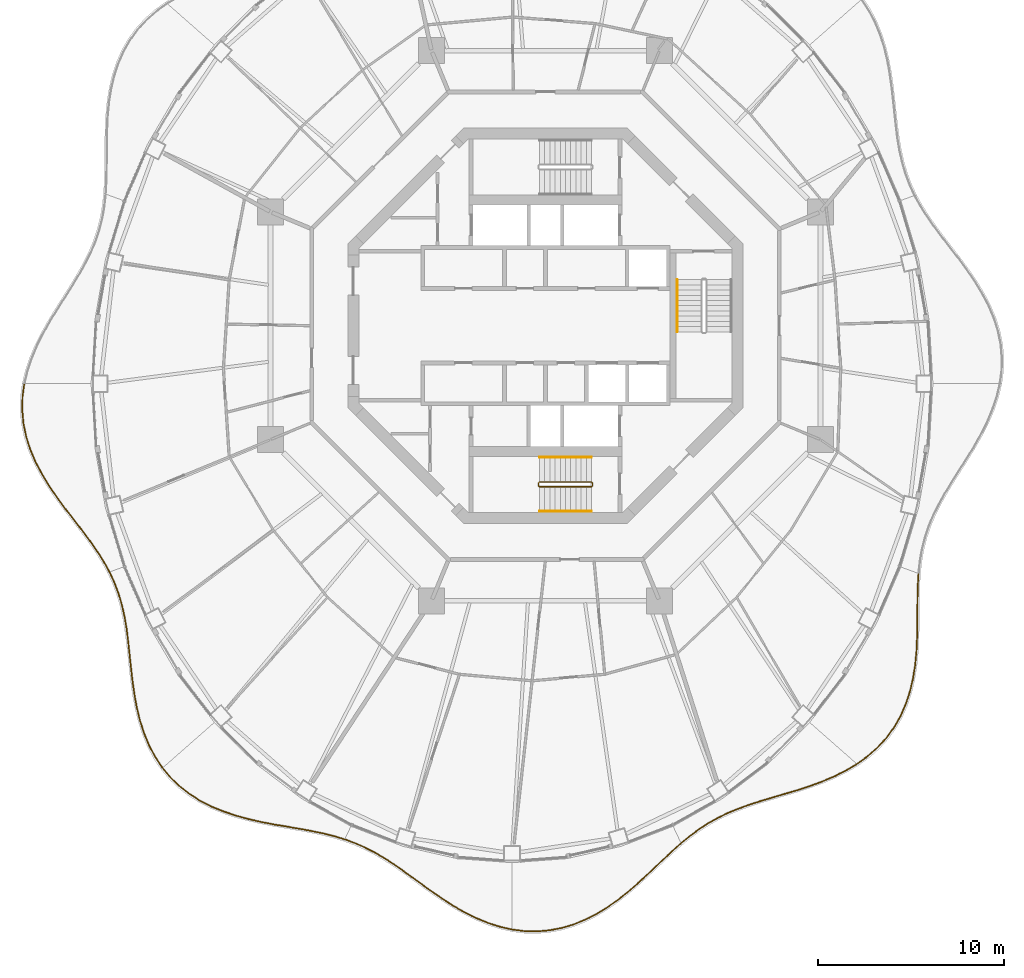
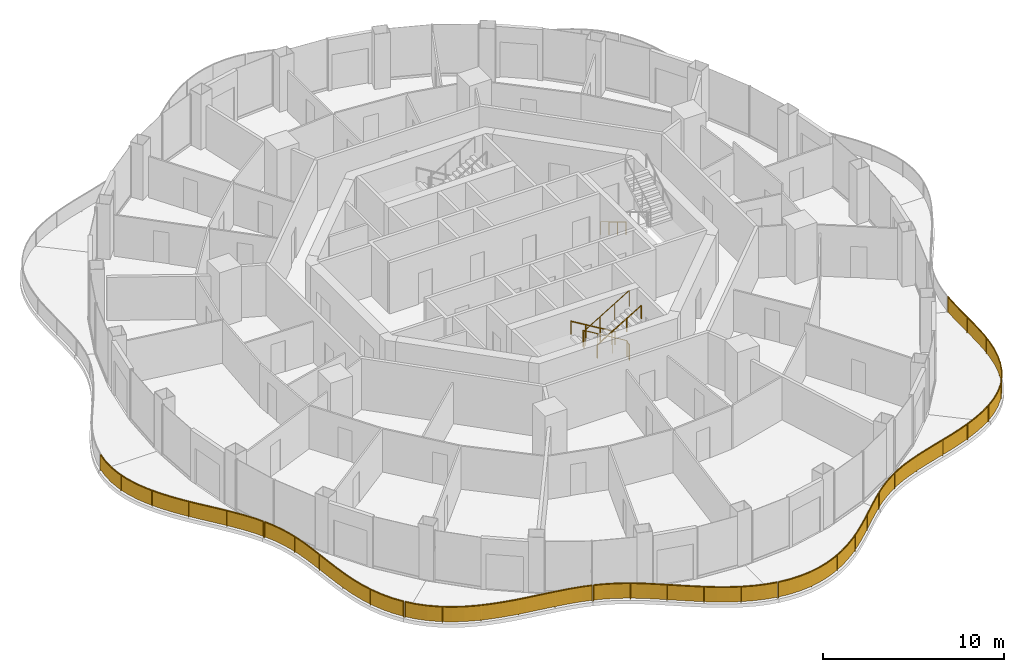
# One storey, part 15 of 17: 11 railings.
"""IFC4 building model written with IfcOpenShell, lengths in metres."""

from ifc_helpers import new_model, si_unit, direction, frame, origin, origin_2d, place, context, subcontext, project, spatial, polyline, rectangle, circle, outline, extrude, material, type_object, element, save


model = new_model("IFC4")

# Units and contexts
model_context = context("Model", 3, precision=1e-05, world=origin(), true_north=direction((0.0, 1.0)))
body_context = subcontext(model_context, "Body", "Model", "MODEL_VIEW")
ifc_project = project(units=[si_unit("LENGTHUNIT", "METRE"), si_unit("AREAUNIT", "SQUARE_METRE"), si_unit("VOLUMEUNIT", "CUBIC_METRE"), si_unit("PLANEANGLEUNIT", "RADIAN"), si_unit("MASSUNIT", "GRAM", prefix="KILO")], contexts=[model_context])

# Site, building, storey
site_placement = place(None, origin())
site = spatial("IfcSite", under=ifc_project, at=site_placement, CompositionType="ELEMENT")
building_placement = place(site_placement, origin())
building = spatial("IfcBuilding", under=site, at=building_placement, Name="Nagisa Residences", CompositionType="ELEMENT")
storey_placement = place(building_placement, frame((0.0, 0.0, 277.0)))
storey = spatial("IfcBuildingStorey", under=building, at=storey_placement, Name="L70", CompositionType="ELEMENT", Elevation=277.0)

# Railings
ifc_material_1 = material(Name="Stainless steel 316", Category="steel")
railing_type_1 = type_object("IfcRailingType", Name="BALCONY GUARD 1100", PredefinedType="BALUSTRADE", material=ifc_material_1)
railing_1_placement = place(storey_placement, frame((-28.0146484375, -3.156005859375, 0.0)))
element("IfcRailing", 1, at=railing_1_placement, inside=storey, type_object=railing_type_1, Name="guard:L70:bal08-0", PredefinedType="BALUSTRADE", context=body_context, shape_type="SweptSolid", body=[
    extrude(outline(polyline([(-0.06396484375, -0.66650390625), (0.02490234375, -0.00341796875), (-0.02490234375, 0.00341796875), (-0.11376953125, -0.66259765625), (-0.1298828125, -1.37646484375), (-0.06591796875, -2.087646484375), (0.076904296875, -2.791015625), (0.29345703125, -3.482666015625), (0.57568359375, -4.145751953125), (0.917724609375, -4.8046875), (1.30615234375, -5.445068359375), (1.728515625, -6.066650390625), (2.171630859375, -6.670654296875), (2.61865234375, -7.2451171875), (3.0625, -7.82080078125), (3.488525390625, -8.388916015625), (3.885986328125, -8.953857421875), (4.24658203125, -9.521240234375), (4.544921875, -10.060546875), (4.5888671875, -10.0361328125), (4.28955078125, -9.495849609375), (3.927490234375, -8.926025390625), (3.529052734375, -8.359619140625), (3.1025390625, -7.79052734375), (2.658203125, -7.21435546875), (2.211669921875, -6.640380859375), (1.76953125, -6.037841796875), (1.34814453125, -5.418212890625), (0.961181640625, -4.7802734375), (0.62109375, -4.124267578125), (0.34033203125, -3.465576171875), (0.125244140625, -2.7783203125), (-0.01611328125, -2.080322265625), (-0.07958984375, -1.375), (-0.06396484375, -0.66650390625)])), frame((0.0, 0.0, 1.050048828125)), (0.0, 0.0, 1.0), 0.050048828125),
    extrude(outline(polyline([(-0.081787109375, -0.6650390625), (0.0068359375, -0.0009765625), (-0.0068359375, 0.0009765625), (-0.095947265625, -0.6640625), (-0.11181640625, -1.3759765625), (-0.0478515625, -2.0849609375), (0.09423828125, -2.786376953125), (0.310302734375, -3.4765625), (0.592041015625, -4.137939453125), (0.933349609375, -4.7958984375), (1.3212890625, -5.435546875), (1.743408203125, -6.056396484375), (2.18603515625, -6.65966796875), (2.6328125, -7.234130859375), (3.076904296875, -7.809814453125), (3.503173828125, -8.37841796875), (3.90087890625, -8.94384765625), (4.261962890625, -9.51220703125), (4.560791015625, -10.0517578125), (4.572998046875, -10.044921875), (4.274169921875, -9.5048828125), (3.91259765625, -8.93603515625), (3.514404296875, -8.3701171875), (3.088134765625, -7.801513671875), (2.64404296875, -7.225341796875), (2.197265625, -6.6513671875), (1.754638671875, -6.048095703125), (1.3330078125, -5.427734375), (0.945556640625, -4.7890625), (0.604736328125, -4.132080078125), (0.323486328125, -3.4716796875), (0.10791015625, -2.782958984375), (-0.0341796875, -2.0830078125), (-0.09765625, -1.37548828125), (-0.081787109375, -0.6650390625)])), frame((0.0, 0.0, 0.06005859375)), (0.0, 0.0, 1.0), 0.989990234375),
    extrude(rectangle(XDim=0.0400390625, YDim=0.0400390625, at=origin_2d()), origin(), (0.0, 0.0, 1.0), 1.050048828125),
    extrude(rectangle(XDim=0.0400390625, YDim=0.0400390625, at=origin_2d()), frame((-0.00439453125, -2.26416015625, 0.0)), (0.0, 0.0, 1.0), 1.050048828125),
    extrude(rectangle(XDim=0.0400390625, YDim=0.0400390625, at=origin_2d()), frame((0.73876953125, -4.405517578125, 0.0)), (0.0, 0.0, 1.0), 1.050048828125),
    extrude(rectangle(XDim=0.0400390625, YDim=0.0400390625, at=origin_2d()), frame((1.95166015625, -6.32861328125, 0.0)), (0.0, 0.0, 1.0), 1.050048828125),
    extrude(rectangle(XDim=0.0400390625, YDim=0.0400390625, at=origin_2d()), frame((3.332275390625, -8.138671875, 0.0)), (0.0, 0.0, 1.0), 1.050048828125),
    extrude(rectangle(XDim=0.0400390625, YDim=0.0400390625, at=origin_2d()), frame((4.56689453125, -10.04833984375, 0.0)), (0.0, 0.0, 1.0), 1.050048828125),
])
railing_2_placement = place(storey_placement, frame((-23.415283203125, -13.265625, 0.0)))
element("IfcRailing", 2, at=railing_2_placement, inside=storey, type_object=railing_type_1, Name="guard:L70:bal09-0", PredefinedType="BALUSTRADE", context=body_context, shape_type="SweptSolid", body=[
    extrude(outline(polyline([(0.2705078125, -0.5234375), (0.022705078125, 0.010498046875), (-0.022705078125, -0.010498046875), (0.22412109375, -0.54296875), (0.445068359375, -1.12890625), (0.624267578125, -1.734375), (0.76611328125, -2.361572265625), (0.87744140625, -3.01123046875), (0.95947265625, -3.670166015625), (1.03564453125, -4.3623046875), (1.109375, -5.07080078125), (1.192138671875, -5.79052734375), (1.295166015625, -6.515380859375), (1.42041015625, -7.225830078125), (1.59326171875, -7.93798828125), (1.815185546875, -8.6318359375), (2.091064453125, -9.298828125), (2.426025390625, -9.930908203125), (2.79443359375, -10.481201171875), (2.8359375, -10.453369140625), (2.468994140625, -9.905029296875), (2.136474609375, -9.27734375), (1.862060546875, -8.61474609375), (1.6416015625, -7.92431640625), (1.46923828125, -7.215576171875), (1.344482421875, -6.507568359375), (1.241943359375, -5.7841796875), (1.1591796875, -5.0654296875), (1.08544921875, -4.35693359375), (1.00927734375, -3.664306640625), (0.9267578125, -3.00390625), (0.8154296875, -2.351806640625), (0.672607421875, -1.7216796875), (0.492431640625, -1.11279296875), (0.2705078125, -0.5234375)])), frame((0.0, 0.0, 1.050048828125)), (0.0, 0.0, 1.0), 0.050048828125),
    extrude(outline(polyline([(0.253662109375, -0.530517578125), (0.00634765625, 0.0029296875), (-0.00634765625, -0.0029296875), (0.240966796875, -0.535888671875), (0.462158203125, -1.123046875), (0.6416015625, -1.729736328125), (0.783935546875, -2.358154296875), (0.895263671875, -3.008544921875), (0.9775390625, -3.66796875), (1.053466796875, -4.3603515625), (1.127197265625, -5.06884765625), (1.210205078125, -5.788330078125), (1.31298828125, -6.5126953125), (1.43798828125, -7.22216796875), (1.610595703125, -7.93310546875), (1.83203125, -8.625732421875), (2.107421875, -9.291015625), (2.44140625, -9.921630859375), (2.809326171875, -10.47119140625), (2.821044921875, -10.46337890625), (2.45361328125, -9.914306640625), (2.1201171875, -9.28515625), (1.84521484375, -8.620849609375), (1.624267578125, -7.92919921875), (1.45166015625, -7.21923828125), (1.32666015625, -6.51025390625), (1.223876953125, -5.786376953125), (1.141357421875, -5.0673828125), (1.067626953125, -4.35888671875), (0.9912109375, -3.66650390625), (0.908935546875, -3.006591796875), (0.797607421875, -2.355224609375), (0.6552734375, -1.726318359375), (0.475341796875, -1.11865234375), (0.253662109375, -0.530517578125)])), frame((0.0, 0.0, 0.06005859375)), (0.0, 0.0, 1.0), 0.989990234375),
    extrude(rectangle(XDim=0.0400390625, YDim=0.0400390625, at=origin_2d()), origin(), (0.0, 0.0, 1.0), 1.050048828125),
    extrude(rectangle(XDim=0.0400390625, YDim=0.0400390625, at=origin_2d()), frame((0.723876953125, -2.0615234375, 0.0)), (0.0, 0.0, 1.0), 1.050048828125),
    extrude(rectangle(XDim=0.0400390625, YDim=0.0400390625, at=origin_2d()), frame((1.0458984375, -4.226806640625, 0.0)), (0.0, 0.0, 1.0), 1.050048828125),
    extrude(rectangle(XDim=0.0400390625, YDim=0.0400390625, at=origin_2d()), frame((1.30419921875, -6.402099609375, 0.0)), (0.0, 0.0, 1.0), 1.050048828125),
    extrude(rectangle(XDim=0.0400390625, YDim=0.0400390625, at=origin_2d()), frame((1.808837890625, -8.530517578125, 0.0)), (0.0, 0.0, 1.0), 1.050048828125),
    extrude(rectangle(XDim=0.0400390625, YDim=0.0400390625, at=origin_2d()), frame((2.815185546875, -10.46728515625, 0.0)), (0.0, 0.0, 1.0), 1.050048828125),
])
railing_3_placement = place(storey_placement, frame((-20.5537109375, -23.794677734375, 0.0)))
element("IfcRailing", 3, at=railing_3_placement, inside=storey, type_object=railing_type_1, Name="guard:L70:bal10-0", PredefinedType="BALUSTRADE", context=body_context, shape_type="SweptSolid", body=[
    extrude(outline(polyline([(0.419677734375, -0.462890625), (0.019287109375, 0.01611328125), (-0.019287109375, -0.01611328125), (0.383056640625, -0.4970703125), (0.86962890625, -0.966064453125), (1.405029296875, -1.38525390625), (1.984375, -1.752685546875), (2.60107421875, -2.06982421875), (3.235595703125, -2.32861328125), (3.904296875, -2.553955078125), (4.5869140625, -2.741455078125), (5.27587890625, -2.898193359375), (5.96337890625, -3.031982421875), (6.62890625, -3.142333984375), (7.294921875, -3.2568359375), (7.943603515625, -3.37548828125), (8.572021484375, -3.506103515625), (9.179443359375, -3.656982421875), (9.72509765625, -3.821533203125), (9.73974609375, -3.773681640625), (9.192626953125, -3.608642578125), (8.583251953125, -3.457275390625), (7.953369140625, -3.326171875), (7.3037109375, -3.20751953125), (6.63720703125, -3.093017578125), (5.97216796875, -2.982666015625), (5.2861328125, -2.849365234375), (4.59912109375, -2.693115234375), (3.9189453125, -2.506103515625), (3.253173828125, -2.28173828125), (2.6220703125, -2.0244140625), (2.00927734375, -1.709228515625), (1.433837890625, -1.34423828125), (0.90234375, -0.928466796875), (0.419677734375, -0.462890625)])), frame((0.0, 0.0, 1.050048828125)), (0.0, 0.0, 1.0), 0.050048828125),
    extrude(outline(polyline([(0.406494140625, -0.47509765625), (0.00537109375, 0.00439453125), (-0.00537109375, -0.00439453125), (0.396240234375, -0.48486328125), (0.88134765625, -0.95263671875), (1.415283203125, -1.370361328125), (1.993408203125, -1.737060546875), (2.608642578125, -2.053466796875), (3.241943359375, -2.311767578125), (3.90966796875, -2.53662109375), (4.59130859375, -2.72412109375), (5.279541015625, -2.880615234375), (5.966552734375, -3.01416015625), (6.6318359375, -3.12451171875), (7.298095703125, -3.239013671875), (7.947265625, -3.357666015625), (8.576171875, -3.488525390625), (9.18408203125, -3.6396484375), (9.73046875, -3.80419921875), (9.734375, -3.791015625), (9.18798828125, -3.6259765625), (8.5791015625, -3.474853515625), (7.94970703125, -3.343994140625), (7.300537109375, -3.225341796875), (6.63427734375, -3.11083984375), (5.968994140625, -3.00048828125), (5.282470703125, -2.866943359375), (4.5947265625, -2.71044921875), (3.91357421875, -2.5234375), (3.246826171875, -2.298583984375), (2.614501953125, -2.040771484375), (2.000244140625, -1.724853515625), (1.423583984375, -1.359130859375), (0.890625, -0.94189453125), (0.406494140625, -0.47509765625)])), frame((0.0, 0.0, 0.06005859375)), (0.0, 0.0, 1.0), 0.989990234375),
    extrude(rectangle(XDim=0.0400390625, YDim=0.0400390625, at=origin_2d()), origin(), (0.0, 0.0, 1.0), 1.050048828125),
    extrude(rectangle(XDim=0.0400390625, YDim=0.0400390625, at=origin_2d()), frame((1.557861328125, -1.45263671875, 0.0)), (0.0, 0.0, 1.0), 1.050048828125),
    extrude(rectangle(XDim=0.0400390625, YDim=0.0400390625, at=origin_2d()), frame((3.477294921875, -2.383544921875, 0.0)), (0.0, 0.0, 1.0), 1.050048828125),
    extrude(rectangle(XDim=0.0400390625, YDim=0.0400390625, at=origin_2d()), frame((5.545654296875, -2.92529296875, 0.0)), (0.0, 0.0, 1.0), 1.050048828125),
    extrude(rectangle(XDim=0.0400390625, YDim=0.0400390625, at=origin_2d()), frame((7.6533203125, -3.296875, 0.0)), (0.0, 0.0, 1.0), 1.050048828125),
    extrude(rectangle(XDim=0.0400390625, YDim=0.0400390625, at=origin_2d()), frame((9.732421875, -3.797607421875, 0.0)), (0.0, 0.0, 1.0), 1.050048828125),
])
railing_4_placement = place(storey_placement, frame((-10.755126953125, -27.613037109375, 0.0)))
element("IfcRailing", 4, at=railing_4_placement, inside=storey, type_object=railing_type_1, Name="guard:L70:bal11-0", PredefinedType="BALUSTRADE", context=body_context, shape_type="SweptSolid", body=[
    extrude(outline(polyline([(0.51708984375, -0.1630859375), (0.008544921875, 0.0234375), (-0.008544921875, -0.0234375), (0.49853515625, -0.20947265625), (1.0302734375, -0.442626953125), (1.55078125, -0.70849609375), (2.06396484375, -1.007080078125), (2.57470703125, -1.335693359375), (3.071044921875, -1.68505859375), (3.5908203125, -2.059326171875), (4.121337890625, -2.44580078125), (4.666259765625, -2.836181640625), (5.228271484375, -3.220703125), (5.7919921875, -3.58740234375), (6.391845703125, -3.93017578125), (7.010986328125, -4.23779296875), (7.647216796875, -4.500244140625), (8.2978515625, -4.709716796875), (8.911865234375, -4.849609375), (8.923095703125, -4.80078125), (8.31103515625, -4.661376953125), (7.664306640625, -4.453369140625), (7.031494140625, -4.1923828125), (6.415283203125, -3.88623046875), (5.81787109375, -3.54443359375), (5.256103515625, -3.17919921875), (4.695068359375, -2.795166015625), (4.150634765625, -2.4052734375), (3.6201171875, -2.018798828125), (3.099853515625, -1.64404296875), (2.6025390625, -1.294189453125), (2.09033203125, -0.964599609375), (1.57470703125, -0.66455078125), (1.0517578125, -0.397216796875), (0.51708984375, -0.1630859375)])), frame((0.0, 0.0, 1.050048828125)), (0.0, 0.0, 1.0), 0.050048828125),
    extrude(outline(polyline([(0.510498046875, -0.1796875), (0.00244140625, 0.006591796875), (-0.00244140625, -0.006591796875), (0.505126953125, -0.19287109375), (1.0380859375, -0.42626953125), (1.559326171875, -0.692626953125), (2.073486328125, -0.99169921875), (2.584716796875, -1.32080078125), (3.081298828125, -1.670166015625), (3.601318359375, -2.044677734375), (4.1318359375, -2.43115234375), (4.6767578125, -2.8212890625), (5.23828125, -3.205810546875), (5.80126953125, -3.57177734375), (6.400146484375, -3.914306640625), (7.018310546875, -4.221435546875), (7.6533203125, -4.4833984375), (8.302490234375, -4.6923828125), (8.916015625, -4.83203125), (8.9189453125, -4.818359375), (8.306396484375, -4.6787109375), (7.658203125, -4.47021484375), (7.024169921875, -4.208740234375), (6.406982421875, -3.902099609375), (5.80859375, -3.56005859375), (5.24609375, -3.194091796875), (4.6845703125, -2.81005859375), (4.14013671875, -2.419921875), (3.609619140625, -2.033447265625), (3.089599609375, -1.658935546875), (2.592529296875, -1.30908203125), (2.080810546875, -0.97998046875), (1.566162109375, -0.680419921875), (1.0439453125, -0.41357421875), (0.510498046875, -0.1796875)])), frame((0.0, 0.0, 0.06005859375)), (0.0, 0.0, 1.0), 0.989990234375),
    extrude(rectangle(XDim=0.0400390625, YDim=0.0400390625, at=origin_2d()), origin(), (0.0, 0.0, 1.0), 1.050048828125),
    extrude(rectangle(XDim=0.0400390625, YDim=0.0400390625, at=origin_2d()), frame((1.851318359375, -0.8544921875, 0.0)), (0.0, 0.0, 1.0), 1.050048828125),
    extrude(rectangle(XDim=0.0400390625, YDim=0.0400390625, at=origin_2d()), frame((3.544677734375, -1.995361328125, 0.0)), (0.0, 0.0, 1.0), 1.050048828125),
    extrude(rectangle(XDim=0.0400390625, YDim=0.0400390625, at=origin_2d()), frame((5.210205078125, -3.177978515625, 0.0)), (0.0, 0.0, 1.0), 1.050048828125),
    extrude(rectangle(XDim=0.0400390625, YDim=0.0400390625, at=origin_2d()), frame((6.979736328125, -4.194580078125, 0.0)), (0.0, 0.0, 1.0), 1.050048828125),
    extrude(rectangle(XDim=0.0400390625, YDim=0.0400390625, at=origin_2d()), frame((8.91748046875, -4.8251953125, 0.0)), (0.0, 0.0, 1.0), 1.050048828125),
])
railing_5_placement = place(storey_placement, frame((-1.761474609375, -32.4521484375, 0.0)))
element("IfcRailing", 5, at=railing_5_placement, inside=storey, type_object=railing_type_1, Name="guard:L70:bal12-0", PredefinedType="BALUSTRADE", context=body_context, shape_type="SweptSolid", body=[
    extrude(outline(polyline([(0.62060546875, -0.054443359375), (0.003173828125, 0.02490234375), (-0.003173828125, -0.02490234375), (0.61669921875, -0.104248046875), (1.287353515625, -0.1201171875), (1.955078125, -0.06591796875), (2.61474609375, 0.0576171875), (3.259521484375, 0.24755859375), (3.874755859375, 0.497314453125), (4.48583984375, 0.80517578125), (5.074462890625, 1.16162109375), (5.64013671875, 1.557373046875), (6.1826171875, 1.98291015625), (6.6865234375, 2.423583984375), (7.1875, 2.87939453125), (7.672119140625, 3.33544921875), (8.14453125, 3.783447265625), (8.609619140625, 4.21533203125), (9.03857421875, 4.5966796875), (9.00537109375, 4.63427734375), (8.575927734375, 4.25244140625), (8.1103515625, 3.820068359375), (7.637939453125, 3.3720703125), (7.1533203125, 2.916015625), (6.6533203125, 2.460693359375), (6.15087890625, 2.021484375), (5.6103515625, 1.597412109375), (5.047119140625, 1.20361328125), (4.46142578125, 0.84912109375), (3.854248046875, 0.542724609375), (3.242919921875, 0.294921875), (2.60302734375, 0.1064453125), (1.9482421875, -0.01611328125), (1.285888671875, -0.06982421875), (0.62060546875, -0.054443359375)])), frame((0.0, 0.0, 1.050048828125)), (0.0, 0.0, 1.0), 0.050048828125),
    extrude(outline(polyline([(0.619140625, -0.072265625), (0.0009765625, 0.0068359375), (-0.0009765625, -0.0068359375), (0.6181640625, -0.08642578125), (1.286865234375, -0.10205078125), (1.95263671875, -0.0478515625), (2.610595703125, 0.0751953125), (3.25341796875, 0.2646484375), (3.867431640625, 0.513671875), (4.47705078125, 0.821044921875), (5.064697265625, 1.1767578125), (5.62939453125, 1.57177734375), (6.171142578125, 1.996826171875), (6.674560546875, 2.43701171875), (7.175048828125, 2.892578125), (7.659912109375, 3.3486328125), (8.13232421875, 3.796630859375), (8.597412109375, 4.228759765625), (9.026611328125, 4.6103515625), (9.017333984375, 4.62060546875), (8.588134765625, 4.239013671875), (8.12255859375, 3.806884765625), (7.650146484375, 3.35888671875), (7.165771484375, 2.90283203125), (6.665283203125, 2.447265625), (6.162353515625, 2.007568359375), (5.62109375, 1.5830078125), (5.056884765625, 1.1884765625), (4.47021484375, 0.833251953125), (3.861572265625, 0.5263671875), (3.2490234375, 0.27783203125), (2.607177734375, 0.0888671875), (1.95068359375, -0.0341796875), (1.286376953125, -0.087890625), (0.619140625, -0.072265625)])), frame((0.0, 0.0, 0.06005859375)), (0.0, 0.0, 1.0), 0.989990234375),
    extrude(rectangle(XDim=0.0400390625, YDim=0.0400390625, at=origin_2d()), origin(), (0.0, 0.0, 1.0), 1.050048828125),
    extrude(rectangle(XDim=0.0400390625, YDim=0.0400390625, at=origin_2d()), frame((2.10498046875, -0.01220703125, 0.0)), (0.0, 0.0, 1.0), 1.050048828125),
    extrude(rectangle(XDim=0.0400390625, YDim=0.0400390625, at=origin_2d()), frame((4.106689453125, 0.64208984375, 0.0)), (0.0, 0.0, 1.0), 1.050048828125),
    extrude(rectangle(XDim=0.0400390625, YDim=0.0400390625, at=origin_2d()), frame((5.884033203125, 1.780517578125, 0.0)), (0.0, 0.0, 1.0), 1.050048828125),
    extrude(rectangle(XDim=0.0400390625, YDim=0.0400390625, at=origin_2d()), frame((7.469482421875, 3.17919921875, 0.0)), (0.0, 0.0, 1.0), 1.050048828125),
    extrude(rectangle(XDim=0.0400390625, YDim=0.0400390625, at=origin_2d()), frame((9.02197265625, 4.615478515625, 0.0)), (0.0, 0.0, 1.0), 1.050048828125),
])
railing_6_placement = place(storey_placement, frame((7.31396484375, -27.7880859375, 0.0)))
element("IfcRailing", 6, at=railing_6_placement, inside=storey, type_object=railing_type_1, Name="guard:L70:bal13-0", PredefinedType="BALUSTRADE", context=body_context, shape_type="SweptSolid", body=[
    extrude(outline(polyline([(0.43408203125, 0.388671875), (-0.015869140625, 0.019287109375), (0.015869140625, -0.019287109375), (0.46484375, 0.34912109375), (0.95703125, 0.7119140625), (1.46337890625, 1.0400390625), (1.98828125, 1.33447265625), (2.534912109375, 1.596923828125), (3.09130859375, 1.822998046875), (3.685546875, 2.03662109375), (4.302734375, 2.23486328125), (4.940185546875, 2.42626953125), (5.59326171875, 2.61865234375), (6.244140625, 2.809814453125), (6.910400390625, 3.029296875), (7.571533203125, 3.27392578125), (8.21923828125, 3.550537109375), (8.84521484375, 3.864990234375), (9.4013671875, 4.1953125), (9.3759765625, 4.23828125), (8.8212890625, 3.908935546875), (8.1982421875, 3.595947265625), (7.552978515625, 3.3203125), (6.893798828125, 3.07666015625), (6.2294921875, 2.857666015625), (5.5791015625, 2.66650390625), (4.926025390625, 2.47412109375), (4.2880859375, 2.28271484375), (3.66943359375, 2.083984375), (3.0732421875, 1.869873046875), (2.514404296875, 1.642822265625), (1.96533203125, 1.37890625), (1.4375, 1.0830078125), (0.9287109375, 0.7529296875), (0.43408203125, 0.388671875)])), frame((0.0, 0.0, 1.050048828125)), (0.0, 0.0, 1.0), 0.050048828125),
    extrude(outline(polyline([(0.445068359375, 0.37451171875), (-0.00439453125, 0.00537109375), (0.00439453125, -0.00537109375), (0.453857421875, 0.36328125), (0.94677734375, 0.7265625), (1.4541015625, 1.055419921875), (1.97998046875, 1.3505859375), (2.527587890625, 1.613525390625), (3.084716796875, 1.83984375), (3.6796875, 2.0537109375), (4.297607421875, 2.252197265625), (4.93505859375, 2.443603515625), (5.588134765625, 2.6357421875), (6.239013671875, 2.8271484375), (6.904296875, 3.04638671875), (7.56494140625, 3.29052734375), (8.211669921875, 3.56689453125), (8.836669921875, 3.880859375), (9.392333984375, 4.210693359375), (9.385009765625, 4.222900390625), (8.829833984375, 3.89306640625), (8.205810546875, 3.57958984375), (7.5595703125, 3.3037109375), (6.89990234375, 3.0595703125), (6.234619140625, 2.84033203125), (5.584228515625, 2.6494140625), (4.93115234375, 2.456787109375), (4.293212890625, 2.265380859375), (3.67529296875, 2.06689453125), (3.079833984375, 1.85302734375), (2.521728515625, 1.626220703125), (1.9736328125, 1.36279296875), (1.44677734375, 1.067626953125), (0.93896484375, 0.73828125), (0.445068359375, 0.37451171875)])), frame((0.0, 0.0, 0.06005859375)), (0.0, 0.0, 1.0), 0.989990234375),
    extrude(rectangle(XDim=0.0400390625, YDim=0.0400390625, at=origin_2d()), origin(), (0.0, 0.0, 1.0), 1.050048828125),
    extrude(rectangle(XDim=0.0400390625, YDim=0.0400390625, at=origin_2d()), frame((1.690185546875, 1.196044921875, 0.0)), (0.0, 0.0, 1.0), 1.050048828125),
    extrude(rectangle(XDim=0.0400390625, YDim=0.0400390625, at=origin_2d()), frame((3.586669921875, 2.027587890625, 0.0)), (0.0, 0.0, 1.0), 1.050048828125),
    extrude(rectangle(XDim=0.0400390625, YDim=0.0400390625, at=origin_2d()), frame((5.56884765625, 2.637451171875, 0.0)), (0.0, 0.0, 1.0), 1.050048828125),
    extrude(rectangle(XDim=0.0400390625, YDim=0.0400390625, at=origin_2d()), frame((7.53759765625, 3.2880859375, 0.0)), (0.0, 0.0, 1.0), 1.050048828125),
    extrude(rectangle(XDim=0.0400390625, YDim=0.0400390625, at=origin_2d()), frame((9.388671875, 4.216796875, 0.0)), (0.0, 0.0, 1.0), 1.050048828125),
])
railing_7_placement = place(storey_placement, frame((16.767578125, -23.529541015625, 0.0)))
element("IfcRailing", 7, at=railing_7_placement, inside=storey, type_object=railing_type_1, Name="guard:L70:bal14-0", PredefinedType="BALUSTRADE", context=body_context, shape_type="SweptSolid", body=[
    extrude(outline(polyline([(0.52978515625, 0.411376953125), (-0.0146484375, 0.020263671875), (0.0146484375, -0.020263671875), (0.56103515625, 0.372314453125), (1.0947265625, 0.843994140625), (1.5712890625, 1.365478515625), (1.98681640625, 1.93408203125), (2.3369140625, 2.544189453125), (2.6162109375, 3.182373046875), (2.84033203125, 3.862548828125), (3.006591796875, 4.56640625), (3.12109375, 5.286865234375), (3.192138671875, 6.01611328125), (3.223388671875, 6.733642578125), (3.23876953125, 7.459228515625), (3.2431640625, 8.174560546875), (3.248291015625, 8.87548828125), (3.264892578125, 9.55859375), (3.300048828125, 10.1796875), (3.250244140625, 10.1826171875), (3.215087890625, 9.560546875), (3.198486328125, 8.87646484375), (3.193359375, 8.175048828125), (3.18896484375, 7.459716796875), (3.173583984375, 6.735107421875), (3.142333984375, 6.01953125), (3.0712890625, 5.293212890625), (2.957275390625, 4.576171875), (2.7919921875, 3.876220703125), (2.5693359375, 3.200439453125), (2.2919921875, 2.566650390625), (1.94482421875, 1.96142578125), (1.53271484375, 1.397216796875), (1.0595703125, 0.879638671875), (0.52978515625, 0.411376953125)])), frame((0.0, 0.0, 1.050048828125)), (0.0, 0.0, 1.0), 0.050048828125),
    extrude(outline(polyline([(0.541015625, 0.397216796875), (-0.004150390625, 0.005615234375), (0.004150390625, -0.005615234375), (0.5498046875, 0.386474609375), (1.08203125, 0.85693359375), (1.557373046875, 1.376953125), (1.9716796875, 1.94384765625), (2.32080078125, 2.55224609375), (2.599365234375, 3.18896484375), (2.822998046875, 3.867431640625), (2.98876953125, 4.56982421875), (3.10302734375, 5.2890625), (3.17431640625, 6.017333984375), (3.20556640625, 6.734130859375), (3.220947265625, 7.45947265625), (3.225341796875, 8.1748046875), (3.23046875, 8.8759765625), (3.2470703125, 9.559326171875), (3.2822265625, 10.1806640625), (3.26806640625, 10.181640625), (3.23291015625, 9.559814453125), (3.21630859375, 8.8759765625), (3.211181640625, 8.1748046875), (3.206787109375, 7.45947265625), (3.19140625, 6.734619140625), (3.16015625, 6.018310546875), (3.08935546875, 5.291015625), (2.97509765625, 4.57275390625), (2.809326171875, 3.871337890625), (2.586181640625, 3.19384765625), (2.30810546875, 2.55859375), (1.9599609375, 1.95166015625), (1.546630859375, 1.3857421875), (1.072265625, 0.86669921875), (0.541015625, 0.397216796875)])), frame((0.0, 0.0, 0.06005859375)), (0.0, 0.0, 1.0), 0.989990234375),
    extrude(rectangle(XDim=0.0400390625, YDim=0.0400390625, at=origin_2d()), origin(), (0.0, 0.0, 1.0), 1.050048828125),
    extrude(rectangle(XDim=0.0400390625, YDim=0.0400390625, at=origin_2d()), frame((1.648193359375, 1.512939453125, 0.0)), (0.0, 0.0, 1.0), 1.050048828125),
    extrude(rectangle(XDim=0.0400390625, YDim=0.0400390625, at=origin_2d()), frame((2.69140625, 3.490478515625, 0.0)), (0.0, 0.0, 1.0), 1.050048828125),
    extrude(rectangle(XDim=0.0400390625, YDim=0.0400390625, at=origin_2d()), frame((3.135009765625, 5.6884765625, 0.0)), (0.0, 0.0, 1.0), 1.050048828125),
    extrude(rectangle(XDim=0.0400390625, YDim=0.0400390625, at=origin_2d()), frame((3.216796875, 7.934326171875, 0.0)), (0.0, 0.0, 1.0), 1.050048828125),
    extrude(rectangle(XDim=0.0400390625, YDim=0.0400390625, at=origin_2d()), frame((3.275146484375, 10.18115234375, 0.0)), (0.0, 0.0, 1.0), 1.050048828125),
])
ifc_material_2 = material(Name="Stainless steel", Category="steel")
railing_type_2 = type_object("IfcRailingType", Name="Stair guard 1100", PredefinedType="GUARDRAIL", material=ifc_material_2)
railing_8_placement = place(storey_placement, frame((2.52490234375, -8.599609375, 0.0)))
element("IfcRailing", 8, at=railing_8_placement, inside=storey, type_object=railing_type_2, Name="L70 ST-S stair guard 1", PredefinedType="GUARDRAIL", context=body_context, shape_type="SweptSolid", body=[
    extrude(circle(Radius=0.02392578125, at=origin_2d()), frame((0.0, 0.0, 1.076171875), z_axis=(0.0, 1.0, 0.0), x_axis=(-1.0, 0.0, 0.0)), (0.0, 0.0, 1.0), 0.14990234375),
    extrude(circle(Radius=0.02392578125, at=origin_2d()), frame((0.0, 0.14990234375, 1.076171875), z_axis=(-0.273006030465, 0.27434429532, 0.922064485248), x_axis=(-0.708833529934, -0.705375805398, 0.0)), (0.0, 0.0, 1.0), 0.182373046875),
    extrude(circle(Radius=0.02392578125, at=origin_2d()), frame((-0.0498046875, 0.199951171875, 1.244140625), z_axis=(-0.857242210791, 0.0, 0.514913383045), x_axis=(0.0, -1.0, 0.0)), (0.0, 0.0, 1.0), 3.266357421875),
    extrude(circle(Radius=0.02392578125, at=origin_2d()), frame((-2.849853515625, 0.199951171875, 2.92626953125), z_axis=(-0.707106781187, -0.707106781187, 0.0), x_axis=(0.707106781187, -0.707106781187, 0.0)), (0.0, 0.0, 1.0), 0.07080078125),
    extrude(circle(Radius=0.02392578125, at=origin_2d()), frame((-2.89990234375, 0.14990234375, 2.92626953125), z_axis=(0.0, -1.0, 0.0), x_axis=(1.0, 0.0, 0.0)), (0.0, 0.0, 1.0), 0.14990234375),
    extrude(circle(Radius=0.02392578125, at=origin_2d()), frame((-2.89990234375, 0.0, 2.92626953125), z_axis=(0.274582412415, -0.274582412415, 0.921525364591), x_axis=(0.707106781187, 0.707106781187, 0.0)), (0.0, 0.0, 1.0), 0.182373046875),
    extrude(circle(Radius=0.02392578125, at=origin_2d()), frame((-2.849853515625, -0.050048828125, 3.09423828125), z_axis=(0.857242210791, 0.0, 0.514913383045), x_axis=(0.0, 1.0, 0.0)), (0.0, 0.0, 1.0), 3.266357421875),
    extrude(circle(Radius=0.02099609375, at=origin_2d()), origin(), (0.0, 0.0, 1.0), 1.052001953125),
    extrude(circle(Radius=0.02099609375, at=origin_2d()), frame((0.0, 0.14990234375, 0.0)), (0.0, 0.0, 1.0), 1.052001953125),
    extrude(circle(Radius=0.02099609375, at=origin_2d()), frame((-0.0498046875, 0.199951171875, 0.168212890625)), (0.0, 0.0, 1.0), 1.052001953125),
    extrude(circle(Radius=0.02099609375, at=origin_2d()), frame((-0.983154296875, 0.199951171875, 0.728759765625)), (0.0, 0.0, 1.0), 1.052001953125),
    extrude(circle(Radius=0.02099609375, at=origin_2d()), frame((-1.91650390625, 0.199951171875, 1.28955078125)), (0.0, 0.0, 1.0), 1.052001953125),
    extrude(circle(Radius=0.02099609375, at=origin_2d()), frame((-2.849853515625, 0.199951171875, 1.85009765625)), (0.0, 0.0, 1.0), 1.052001953125),
    extrude(circle(Radius=0.02099609375, at=origin_2d()), frame((-2.89990234375, 0.14990234375, 1.85009765625)), (0.0, 0.0, 1.0), 1.052001953125),
    extrude(circle(Radius=0.02099609375, at=origin_2d()), frame((-2.89990234375, 0.0, 1.85009765625)), (0.0, 0.0, 1.0), 1.052001953125),
    extrude(circle(Radius=0.02099609375, at=origin_2d()), frame((-2.849853515625, -0.050048828125, 2.01806640625)), (0.0, 0.0, 1.0), 1.052001953125),
    extrude(circle(Radius=0.02099609375, at=origin_2d()), frame((-1.91650390625, -0.050048828125, 2.57861328125)), (0.0, 0.0, 1.0), 1.052001953125),
    extrude(circle(Radius=0.02099609375, at=origin_2d()), frame((-0.983154296875, -0.050048828125, 3.139404296875)), (0.0, 0.0, 1.0), 1.052001953125),
    extrude(circle(Radius=0.02099609375, at=origin_2d()), frame((-0.0498046875, -0.050048828125, 3.699951171875)), (0.0, 0.0, 1.0), 1.052001953125),
])
ifc_material_3 = material(Name="Stainless steel", Category="steel")
railing_type_3 = type_object("IfcRailingType", Name="Stair handrail 900", PredefinedType="HANDRAIL", material=ifc_material_3)
railing_9_placement = place(storey_placement, frame((7.07470703125, 2.47509765625, 0.168212890625)))
element("IfcRailing", 9, at=railing_9_placement, inside=storey, type_object=railing_type_3, Name="L70 ST-E stair handrail 1", PredefinedType="HANDRAIL", context=body_context, shape_type="SweptSolid", body=[
    extrude(circle(Radius=0.02392578125, at=origin_2d()), frame((0.0, 0.0, 0.8759765625), z_axis=(0.0, -0.857242210791, 0.514913383045), x_axis=(1.0, 0.0, 0.0)), (0.0, 0.0, 1.0), 3.266357421875),
    extrude(circle(Radius=0.02099609375, at=origin_2d()), origin(), (0.0, 0.0, 1.0), 0.851806640625),
    extrude(circle(Radius=0.02099609375, at=origin_2d()), frame((0.0, -0.933349609375, 0.560546875)), (0.0, 0.0, 1.0), 0.851806640625),
    extrude(circle(Radius=0.02099609375, at=origin_2d()), frame((0.0, -1.86669921875, 1.121337890625)), (0.0, 0.0, 1.0), 0.851806640625),
    extrude(circle(Radius=0.02099609375, at=origin_2d()), frame((0.0, -2.800048828125, 1.681884765625)), (0.0, 0.0, 1.0), 0.851806640625),
])
railing_10_placement = place(storey_placement, frame((2.47509765625, -7.07470703125, 0.168212890625)))
element("IfcRailing", 10, at=railing_10_placement, inside=storey, type_object=railing_type_3, Name="L70 ST-S stair handrail 1", PredefinedType="HANDRAIL", context=body_context, shape_type="SweptSolid", body=[
    extrude(circle(Radius=0.02392578125, at=origin_2d()), frame((0.0, 0.0, 0.8759765625), z_axis=(-0.857242210791, 0.0, 0.514913383045), x_axis=(0.0, -1.0, 0.0)), (0.0, 0.0, 1.0), 3.266357421875),
    extrude(circle(Radius=0.02099609375, at=origin_2d()), origin(), (0.0, 0.0, 1.0), 0.851806640625),
    extrude(circle(Radius=0.02099609375, at=origin_2d()), frame((-0.933349609375, 0.0, 0.560546875)), (0.0, 0.0, 1.0), 0.851806640625),
    extrude(circle(Radius=0.02099609375, at=origin_2d()), frame((-1.86669921875, 0.0, 1.121337890625)), (0.0, 0.0, 1.0), 0.851806640625),
    extrude(circle(Radius=0.02099609375, at=origin_2d()), frame((-2.800048828125, 0.0, 1.681884765625)), (0.0, 0.0, 1.0), 0.851806640625),
])
railing_11_placement = place(storey_placement, frame((-0.324951171875, -9.974609375, 2.01806640625)))
element("IfcRailing", 11, at=railing_11_placement, inside=storey, type_object=railing_type_3, Name="L70 ST-S stair handrail 2", PredefinedType="HANDRAIL", context=body_context, shape_type="SweptSolid", body=[
    extrude(circle(Radius=0.02392578125, at=origin_2d()), frame((0.0, 0.0, 0.8759765625), z_axis=(0.857242210791, 0.0, 0.514913383045), x_axis=(0.0, 1.0, 0.0)), (0.0, 0.0, 1.0), 3.266357421875),
    extrude(circle(Radius=0.02099609375, at=origin_2d()), origin(), (0.0, 0.0, 1.0), 0.851806640625),
    extrude(circle(Radius=0.02099609375, at=origin_2d()), frame((0.933349609375, 0.0, 0.560546875)), (0.0, 0.0, 1.0), 0.851806640625),
    extrude(circle(Radius=0.02099609375, at=origin_2d()), frame((1.86669921875, 0.0, 1.121337890625)), (0.0, 0.0, 1.0), 0.851806640625),
    extrude(circle(Radius=0.02099609375, at=origin_2d()), frame((2.800048828125, 0.0, 1.681884765625)), (0.0, 0.0, 1.0), 0.851806640625),
])

save(model, "model.ifc")
